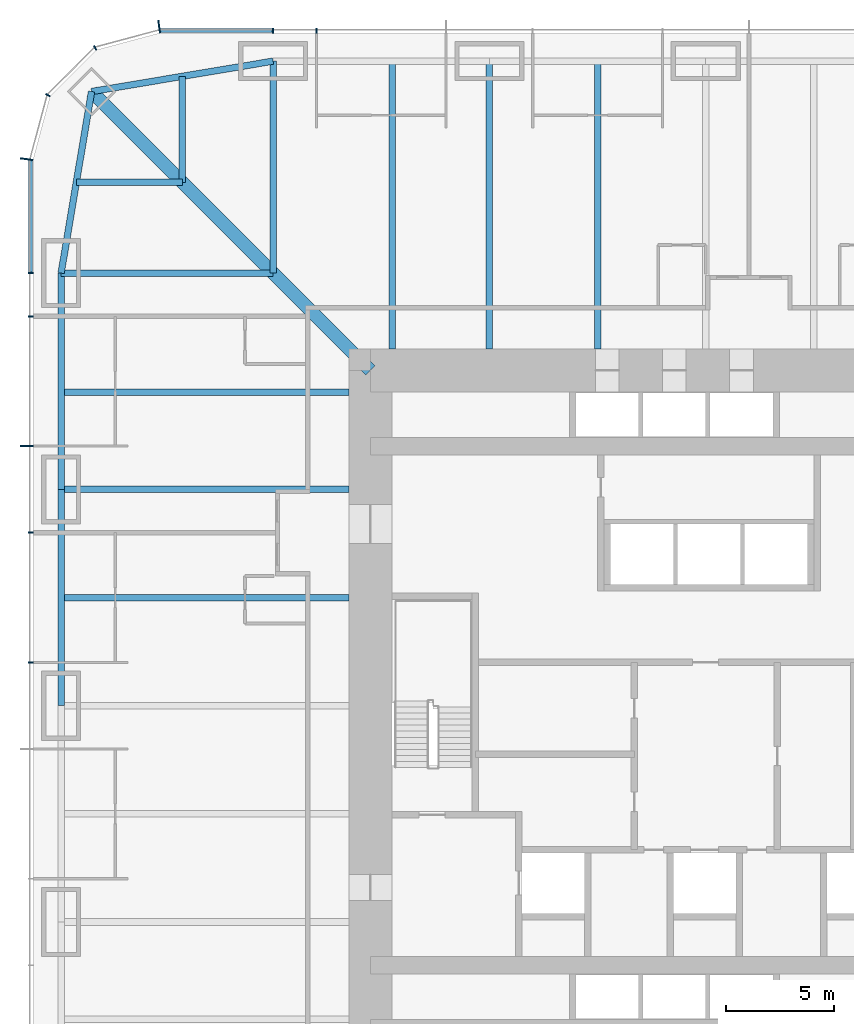
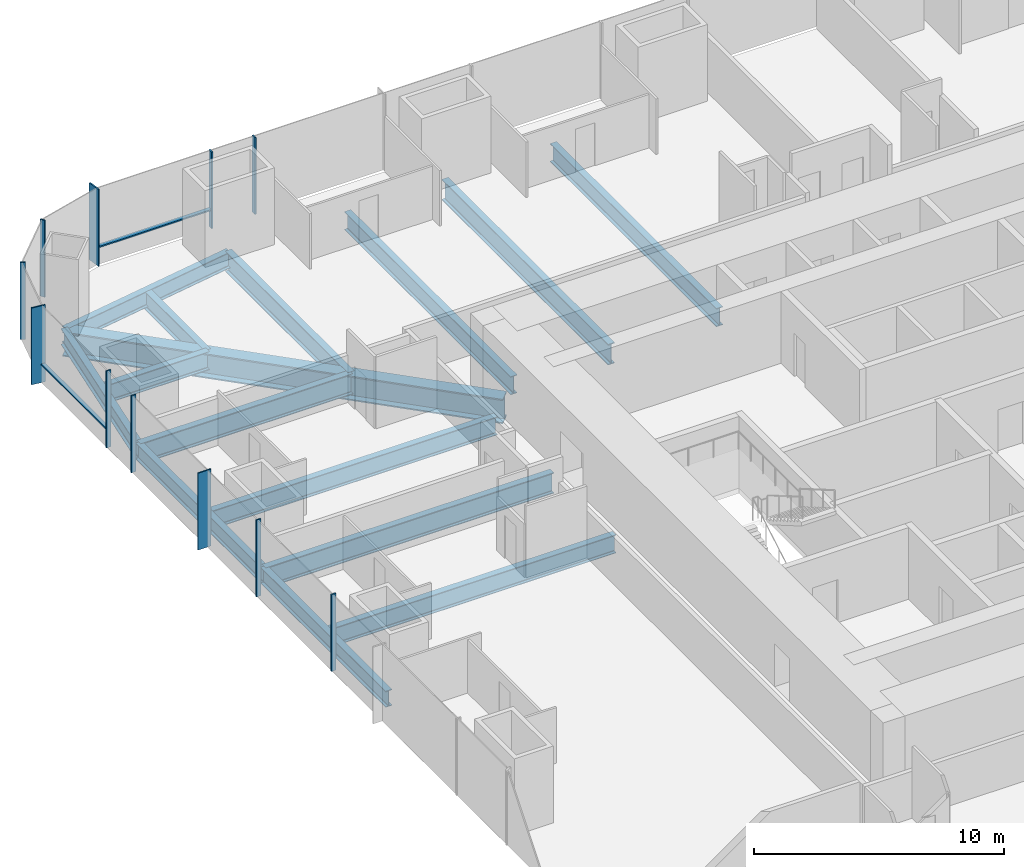
# One storey, part 6 of 16: 15 beams, 13 members, 3 elements without a shape of their own.
"""IFC4 building model written with IfcOpenShell, lengths in metres."""

from ifc_helpers import new_model, si_unit, direction, frame, origin, origin_2d, place, context, subcontext, project, spatial, rectangle, i_section, extrude, material, material_profile, profile_set, type_object, element, aggregate, save


model = new_model("IFC4")

# Units and contexts
model_context = context("Model", 3, precision=1e-05, world=origin(), true_north=direction((0.0, 1.0)))
body_context = subcontext(model_context, "Body", "Model", "MODEL_VIEW")
ifc_project = project(units=[si_unit("LENGTHUNIT", "METRE"), si_unit("AREAUNIT", "SQUARE_METRE"), si_unit("VOLUMEUNIT", "CUBIC_METRE"), si_unit("PLANEANGLEUNIT", "RADIAN"), si_unit("MASSUNIT", "GRAM", prefix="KILO")], contexts=[model_context])

# Site, building, storey
site_placement = place(None, origin())
site = spatial("IfcSite", under=ifc_project, at=site_placement, CompositionType="ELEMENT")
building_placement = place(site_placement, origin())
building = spatial("IfcBuilding", under=site, at=building_placement, Name="Khuree Lantern Residences", CompositionType="ELEMENT")
storey_placement = place(building_placement, frame((0.0, 0.0, 81.0)))
storey = spatial("IfcBuildingStorey", under=building, at=storey_placement, Name="L20", CompositionType="ELEMENT", Elevation=81.0)

# Beams
ifc_material_1 = material(Name="Steel S355", Category="steel")
ifc_material_profile_1 = material_profile(ifc_material_1, i_section(OverallWidth=0.300048828125, OverallDepth=0.889892578125, WebThickness=0.01611328125, FlangeThickness=0.030029296875, FilletRadius=0.030029296875, at=origin_2d()), Name="HE 900 A")
ifc_profile_set_1 = profile_set([ifc_material_profile_1], Name="Steel S355")
beam_type_1 = type_object("IfcBeamType", Name="B-14 SECONDARY BEAM HE 900 A", PredefinedType="BEAM", material=ifc_profile_set_1)
for number, where, z_axis, x_axis, name in (
    (1, (-14.5, 29.800048828125, -0.695068359375), (0.0, -1.0, 0.0), (1.0, 0.0, 0.0), "Secondary beam N1"),
    (2, (-5.0, 29.800048828125, -0.695068359375), (0.0, -1.0, 0.0), (1.0, 0.0, 0.0), "Secondary beam N2"),
    (3, (-29.800048828125, 5.0, -0.695068359375), (1.0, 0.0, 0.0), (0.0, 1.0, 0.0), "Secondary beam W4"),
    (4, (-29.800048828125, 14.5, -0.695068359375), (1.0, 0.0, 0.0), (0.0, 1.0, 0.0), "Secondary beam W5"),
):
    element("IfcBeam", number, at=place(storey_placement, frame(where, z_axis=z_axis, x_axis=x_axis)), inside=storey, type_object=beam_type_1, Name=name, PredefinedType="BEAM", context=body_context, shape_type="SweptSolid", body=[
        extrude(i_section(OverallWidth=0.300048828125, OverallDepth=0.889892578125, WebThickness=0.01611328125, FlangeThickness=0.030029296875, FilletRadius=0.030029296875, at=origin_2d()), origin(), (0.0, 0.0, 1.0), 13.300048828125),
    ])
for number, where, z_axis, x_axis, name in (
    (5, (-29.09716796875, 24.197021484375, -0.695068359375), (1.0, 0.0, 0.0), (0.0, 1.0, 0.0), "Secondary beam W6"),
    (6, (-24.197021484375, 29.09716796875, -0.695068359375), (0.0, -1.0, 0.0), (1.0, 0.0, 0.0), "Secondary beam N6"),
):
    element("IfcBeam", number, at=place(storey_placement, frame(where, z_axis=z_axis, x_axis=x_axis)), inside=storey, type_object=beam_type_1, Name=name, PredefinedType="BEAM", context=body_context, shape_type="SweptSolid", body=[
        extrude(i_section(OverallWidth=0.300048828125, OverallDepth=0.889892578125, WebThickness=0.01611328125, FlangeThickness=0.030029296875, FilletRadius=0.030029296875, at=origin_2d()), origin(), (0.0, 0.0, 1.0), 4.900146484375),
    ])
ifc_material_profile_2 = material_profile(ifc_material_1, i_section(OverallWidth=0.300048828125, OverallDepth=0.7900390625, WebThickness=0.014892578125, FlangeThickness=0.028076171875, FilletRadius=0.030029296875, at=origin_2d()), Name="HE 800 A")
ifc_profile_set_2 = profile_set([ifc_material_profile_2], Name="Steel S355")
beam_type_2 = type_object("IfcBeamType", Name="E-14 SPANDREL BEAM HE 800 A", PredefinedType="SPANDREL", material=ifc_profile_set_2)
for number, where, z_axis, x_axis, name in (
    (7, (-29.800048828125, 0.0, -0.64501953125), (0.0, 1.0, 0.0), (-1.0, 0.0, 0.0), "Spandrel beam W4"),
    (8, (-29.800048828125, 10.0, -0.64501953125), (0.0, 1.0, 0.0), (-1.0, 0.0, 0.0), "Spandrel beam W5"),
):
    element("IfcBeam", number, at=place(storey_placement, frame(where, z_axis=z_axis, x_axis=x_axis)), inside=storey, type_object=beam_type_2, Name=name, PredefinedType="SPANDREL", context=body_context, shape_type="SweptSolid", body=[
        extrude(i_section(OverallWidth=0.300048828125, OverallDepth=0.7900390625, WebThickness=0.014892578125, FlangeThickness=0.028076171875, FilletRadius=0.030029296875, at=origin_2d()), origin(), (0.0, 0.0, 1.0), 10.0),
    ])
for number, where, z_axis, x_axis, name in (
    (9, (-29.800048828125, 20.0, -0.64501953125), (0.165199022349, 0.986260251158, 0.0), (-0.986260251158, 0.165199022349, 0.0), "Spandrel beam W6"),
    (10, (-28.39404296875, 28.39404296875, -0.64501953125), (0.986260251158, 0.165199022349, 0.0), (-0.165199022349, 0.986260251158, 0.0), "Spandrel beam N6"),
):
    element("IfcBeam", number, at=place(storey_placement, frame(where, z_axis=z_axis, x_axis=x_axis)), inside=storey, type_object=beam_type_2, Name=name, PredefinedType="SPANDREL", context=body_context, shape_type="SweptSolid", body=[
        extrude(i_section(OverallWidth=0.300048828125, OverallDepth=0.7900390625, WebThickness=0.014892578125, FlangeThickness=0.028076171875, FilletRadius=0.030029296875, at=origin_2d()), origin(), (0.0, 0.0, 1.0), 8.510986328125),
    ])

# Curtain wall, member
ifc_material_2 = material(Name="Bronze anodised aluminium", Category="aluminium")
curtain_wall_type_1 = type_object("IfcCurtainWallType", Name="CW-T2 TOWER CORNER CURTAIN WALL", PredefinedType="USERDEFINED", material=ifc_material_2)
curtain_wall_1_placement = place(storey_placement, origin())
curtain_wall_1 = element("IfcCurtainWall", 11, at=curtain_wall_1_placement, inside=storey, type_object=curtain_wall_type_1, Name="L20 NORTH-WEST CORNER CURTAIN WALL", ObjectType="Faceted corner curtain wall", PredefinedType="USERDEFINED")
ifc_material_profile_3 = material_profile(ifc_material_2, rectangle(XDim=0.06494140625, YDim=0.60009765625, at=origin_2d()), Name="F1 65X600")
ifc_profile_set_3 = profile_set([ifc_material_profile_3], Name="Bronze anodised aluminium")
member_type_1 = type_object("IfcMemberType", Name="F1 BRONZE FIN MULLION TOWER 65X600", PredefinedType="MULLION", material=ifc_profile_set_3)
member_1_placement = place(storey_placement, frame((-25.269775390625, 31.400146484375, 0.0), z_axis=(0.0, 0.0, 1.0), x_axis=(-0.991444852794, -0.130526257387, 0.0)))
member_1 = element("IfcMember", 12, at=member_1_placement, type_object=member_type_1, Name="L20 NORTH-WEST CORNER FIN MULLION 29", PredefinedType="MULLION", context=body_context, shape_type="SweptSolid", body=[
    extrude(rectangle(XDim=0.06494140625, YDim=0.60009765625, at=origin_2d()), origin(), (0.0, 0.0, 1.0), 3.75),
])

# Curtain wall, members
curtain_wall_type_2 = type_object("IfcCurtainWallType", Name="CW-T1 TOWER FACE CURTAIN WALL", PredefinedType="USERDEFINED", material=ifc_material_2)
curtain_wall_2_placement = place(storey_placement, origin())
curtain_wall_2 = element("IfcCurtainWall", 13, at=curtain_wall_2_placement, inside=storey, type_object=curtain_wall_type_2, Name="L20 WEST FACE CURTAIN WALL", ObjectType="Stick-built curtain wall", PredefinedType="USERDEFINED")
member_2_placement = place(storey_placement, frame((-31.400146484375, 25.269775390625, 0.0), z_axis=(0.0, 0.0, 1.0), x_axis=(-0.130526257387, -0.991444852794, 0.0)))
member_2 = element("IfcMember", 14, at=member_2_placement, type_object=member_type_1, Name="L20 WEST FACE FIN MULLION 32", PredefinedType="MULLION", context=body_context, shape_type="SweptSolid", body=[
    extrude(rectangle(XDim=0.06494140625, YDim=0.60009765625, at=origin_2d()), origin(), (0.0, 0.0, 1.0), 3.75),
])
member_3_placement = place(storey_placement, frame((-31.39990234375, 12.0, 0.0), z_axis=(0.0, 0.0, 1.0), x_axis=(0.0, -1.0, 0.0)))
member_3 = element("IfcMember", 15, at=member_3_placement, type_object=member_type_1, Name="L20 WEST FACE FIN MULLION 35", PredefinedType="MULLION", context=body_context, shape_type="SweptSolid", body=[
    extrude(rectangle(XDim=0.06494140625, YDim=0.60009765625, at=origin_2d()), origin(), (0.0, 0.0, 1.0), 3.75),
])

# Beams
ifc_material_profile_4 = material_profile(ifc_material_1, i_section(OverallWidth=0.302001953125, OverallDepth=1.008056640625, WebThickness=0.02099609375, FlangeThickness=0.0400390625, FilletRadius=0.030029296875, at=origin_2d()), Name="HE 1000 M")
ifc_profile_set_4 = profile_set([ifc_material_profile_4], Name="Steel S355")
beam_type_3 = type_object("IfcBeamType", Name="G-14 GIRDER HE 1000 M", PredefinedType="BEAM", material=ifc_profile_set_4)
beam_1_placement = place(storey_placement, frame((-20.0, 29.800048828125, -0.75390625), z_axis=(0.0, -1.0, 0.0), x_axis=(1.0, 0.0, 0.0)))
element("IfcBeam", 16, at=beam_1_placement, inside=storey, type_object=beam_type_3, Name="Girder N1", PredefinedType="BEAM", context=body_context, shape_type="SweptSolid", body=[
    extrude(i_section(OverallWidth=0.302001953125, OverallDepth=1.008056640625, WebThickness=0.02099609375, FlangeThickness=0.0400390625, FilletRadius=0.030029296875, at=origin_2d()), origin(), (0.0, 0.0, 1.0), 9.800048828125),
])
for number, where, z_axis, x_axis, name in (
    (17, (-10.0, 29.800048828125, -0.75390625), (0.0, -1.0, 0.0), (1.0, 0.0, 0.0), "Girder N2"),
    (18, (-29.800048828125, 10.0, -0.75390625), (1.0, 0.0, 0.0), (0.0, 1.0, 0.0), "Girder W4"),
):
    element("IfcBeam", number, at=place(storey_placement, frame(where, z_axis=z_axis, x_axis=x_axis)), inside=storey, type_object=beam_type_3, Name=name, PredefinedType="BEAM", context=body_context, shape_type="SweptSolid", body=[
        extrude(i_section(OverallWidth=0.302001953125, OverallDepth=1.008056640625, WebThickness=0.02099609375, FlangeThickness=0.0400390625, FilletRadius=0.030029296875, at=origin_2d()), origin(), (0.0, 0.0, 1.0), 13.300048828125),
    ])
beam_2_placement = place(storey_placement, frame((-29.800048828125, 20.0, -0.75390625), z_axis=(1.0, 0.0, 0.0), x_axis=(0.0, 1.0, 0.0)))
element("IfcBeam", 19, at=beam_2_placement, inside=storey, type_object=beam_type_3, Name="Girder W5", PredefinedType="BEAM", context=body_context, shape_type="SweptSolid", body=[
    extrude(i_section(OverallWidth=0.302001953125, OverallDepth=1.008056640625, WebThickness=0.02099609375, FlangeThickness=0.0400390625, FilletRadius=0.030029296875, at=origin_2d()), origin(), (0.0, 0.0, 1.0), 9.800048828125),
])
ifc_material_profile_5 = material_profile(ifc_material_1, i_section(OverallWidth=0.60009765625, OverallDepth=1.199951171875, WebThickness=0.030029296875, FlangeThickness=0.06005859375, at=origin_2d()), Name="WELDED I 1200X600X30X60")
ifc_profile_set_5 = profile_set([ifc_material_profile_5], Name="Steel S355")
beam_type_4 = type_object("IfcBeamType", Name="GD-14 CORNER GIRDER WELDED I 1200X600X30X60", PredefinedType="BEAM", material=ifc_profile_set_5)
beam_3_placement = place(storey_placement, frame((-28.39404296875, 28.39404296875, -0.85009765625), z_axis=(0.707106781187, -0.707106781187, 0.0), x_axis=(0.707106781187, 0.707106781187, 0.0)))
element("IfcBeam", 20, at=beam_3_placement, inside=storey, type_object=beam_type_4, Name="Corner girder NW", PredefinedType="BEAM", context=body_context, shape_type="SweptSolid", body=[
    extrude(i_section(OverallWidth=0.60009765625, OverallDepth=1.199951171875, WebThickness=0.030029296875, FlangeThickness=0.06005859375, at=origin_2d()), origin(), (0.0, 0.0, 1.0), 18.23486328125),
])

# Curtain wall, members
curtain_wall_3_placement = place(storey_placement, origin())
curtain_wall_3 = element("IfcCurtainWall", 21, at=curtain_wall_3_placement, inside=storey, type_object=curtain_wall_type_2, Name="L20 NORTH FACE CURTAIN WALL", ObjectType="Stick-built curtain wall", PredefinedType="USERDEFINED")
ifc_material_profile_6 = material_profile(ifc_material_2, rectangle(XDim=0.06494140625, YDim=0.219970703125, at=origin_2d()), Name="M1 65X220")
ifc_profile_set_6 = profile_set([ifc_material_profile_6], Name="Bronze anodised aluminium")
member_type_2 = type_object("IfcMemberType", Name="M1 BRONZE MULLION TOWER 65X220", PredefinedType="MULLION", material=ifc_profile_set_6)
member_4_placement = place(storey_placement, frame((-18.0, 31.2099609375, 0.0), z_axis=(0.0, 0.0, 1.0), x_axis=(-1.0, 0.0, 0.0)))
member_4 = element("IfcMember", 22, at=member_4_placement, type_object=member_type_2, Name="L20 NORTH FACE MULLION 27", PredefinedType="MULLION", context=body_context, shape_type="SweptSolid", body=[
    extrude(rectangle(XDim=0.06494140625, YDim=0.219970703125, at=origin_2d()), origin(), (0.0, 0.0, 1.0), 3.75),
])
member_5_placement = place(storey_placement, frame((-20.0, 31.2099609375, 0.0), z_axis=(0.0, 0.0, 1.0), x_axis=(-1.0, 0.0, 0.0)))
member_5 = element("IfcMember", 23, at=member_5_placement, type_object=member_type_2, Name="L20 NORTH FACE MULLION 28", PredefinedType="MULLION", context=body_context, shape_type="SweptSolid", body=[
    extrude(rectangle(XDim=0.06494140625, YDim=0.219970703125, at=origin_2d()), origin(), (0.0, 0.0, 1.0), 3.75),
])

# Member
member_6_placement = place(storey_placement, frame((-28.22998046875, 30.41162109375, 0.0), z_axis=(0.0, 0.0, 1.0), x_axis=(-0.86602537092, -0.500000056923, 0.0)))
member_6 = element("IfcMember", 24, at=member_6_placement, type_object=member_type_2, Name="L20 NORTH-WEST CORNER MULLION 30", PredefinedType="MULLION", context=body_context, shape_type="SweptSolid", body=[
    extrude(rectangle(XDim=0.06494140625, YDim=0.219970703125, at=origin_2d()), origin(), (0.0, 0.0, 1.0), 3.75),
])

member_7_placement = place(storey_placement, frame((-30.41162109375, 28.22998046875, 0.0), z_axis=(0.0, 0.0, 1.0), x_axis=(-0.500000056923, -0.86602537092, 0.0)))
member_7 = element("IfcMember", 25, at=member_7_placement, type_object=member_type_2, Name="L20 NORTH-WEST CORNER MULLION 31", PredefinedType="MULLION", context=body_context, shape_type="SweptSolid", body=[
    extrude(rectangle(XDim=0.06494140625, YDim=0.219970703125, at=origin_2d()), origin(), (0.0, 0.0, 1.0), 3.75),
])

aggregate(curtain_wall_1, [member_1, member_6, member_7])

member_8_placement = place(storey_placement, frame((-31.2099609375, 20.0, 0.0), z_axis=(0.0, 0.0, 1.0), x_axis=(0.0, -1.0, 0.0)))
member_8 = element("IfcMember", 26, at=member_8_placement, type_object=member_type_2, Name="L20 WEST FACE MULLION 33", PredefinedType="MULLION", context=body_context, shape_type="SweptSolid", body=[
    extrude(rectangle(XDim=0.06494140625, YDim=0.219970703125, at=origin_2d()), origin(), (0.0, 0.0, 1.0), 3.75),
])

member_9_placement = place(storey_placement, frame((-31.2099609375, 18.0, 0.0), z_axis=(0.0, 0.0, 1.0), x_axis=(0.0, -1.0, 0.0)))
member_9 = element("IfcMember", 27, at=member_9_placement, type_object=member_type_2, Name="L20 WEST FACE MULLION 34", PredefinedType="MULLION", context=body_context, shape_type="SweptSolid", body=[
    extrude(rectangle(XDim=0.06494140625, YDim=0.219970703125, at=origin_2d()), origin(), (0.0, 0.0, 1.0), 3.75),
])

member_10_placement = place(storey_placement, frame((-31.2099609375, 8.0, 0.0), z_axis=(0.0, 0.0, 1.0), x_axis=(0.0, -1.0, 0.0)))
member_10 = element("IfcMember", 28, at=member_10_placement, type_object=member_type_2, Name="L20 WEST FACE MULLION 36", PredefinedType="MULLION", context=body_context, shape_type="SweptSolid", body=[
    extrude(rectangle(XDim=0.06494140625, YDim=0.219970703125, at=origin_2d()), origin(), (0.0, 0.0, 1.0), 3.75),
])

member_11_placement = place(storey_placement, frame((-31.2099609375, 2.0, 0.0), z_axis=(0.0, 0.0, 1.0), x_axis=(0.0, -1.0, 0.0)))
member_11 = element("IfcMember", 29, at=member_11_placement, type_object=member_type_2, Name="L20 WEST FACE MULLION 37", PredefinedType="MULLION", context=body_context, shape_type="SweptSolid", body=[
    extrude(rectangle(XDim=0.06494140625, YDim=0.219970703125, at=origin_2d()), origin(), (0.0, 0.0, 1.0), 3.75),
])

ifc_material_profile_7 = material_profile(ifc_material_2, rectangle(XDim=0.179931640625, YDim=0.06494140625, at=origin_2d()), Name="T1 180X65")
ifc_profile_set_7 = profile_set([ifc_material_profile_7], Name="Bronze anodised aluminium")
member_type_3 = type_object("IfcMemberType", Name="TRANSOM T1 TOWER 180X65", PredefinedType="USERDEFINED", material=ifc_profile_set_7)
member_12_placement = place(storey_placement, frame((-20.032470703125, 31.219970703125, 0.89990234375), z_axis=(-1.0, 0.0, 0.0), x_axis=(0.0, -1.0, 0.0)))
member_12 = element("IfcMember", 30, at=member_12_placement, type_object=member_type_3, Name="L20 NORTH FACE TRANSOM 28.1", ObjectType="Transom", PredefinedType="USERDEFINED", context=body_context, shape_type="SweptSolid", body=[
    extrude(rectangle(XDim=0.179931640625, YDim=0.06494140625, at=origin_2d()), origin(), (0.0, 0.0, 1.0), 5.1689453125),
])

aggregate(curtain_wall_3, [member_4, member_5, member_12])

member_13_placement = place(storey_placement, frame((-31.219970703125, 25.201416015625, 0.89990234375), z_axis=(0.0, -1.0, 0.0), x_axis=(1.0, 0.0, 0.0)))
member_13 = element("IfcMember", 31, at=member_13_placement, type_object=member_type_3, Name="L20 WEST FACE TRANSOM 32.1", ObjectType="Transom", PredefinedType="USERDEFINED", context=body_context, shape_type="SweptSolid", body=[
    extrude(rectangle(XDim=0.179931640625, YDim=0.06494140625, at=origin_2d()), origin(), (0.0, 0.0, 1.0), 5.1689453125),
])

aggregate(curtain_wall_2, [member_2, member_8, member_9, member_3, member_10, member_11, member_13])

save(model, "model.ifc")
